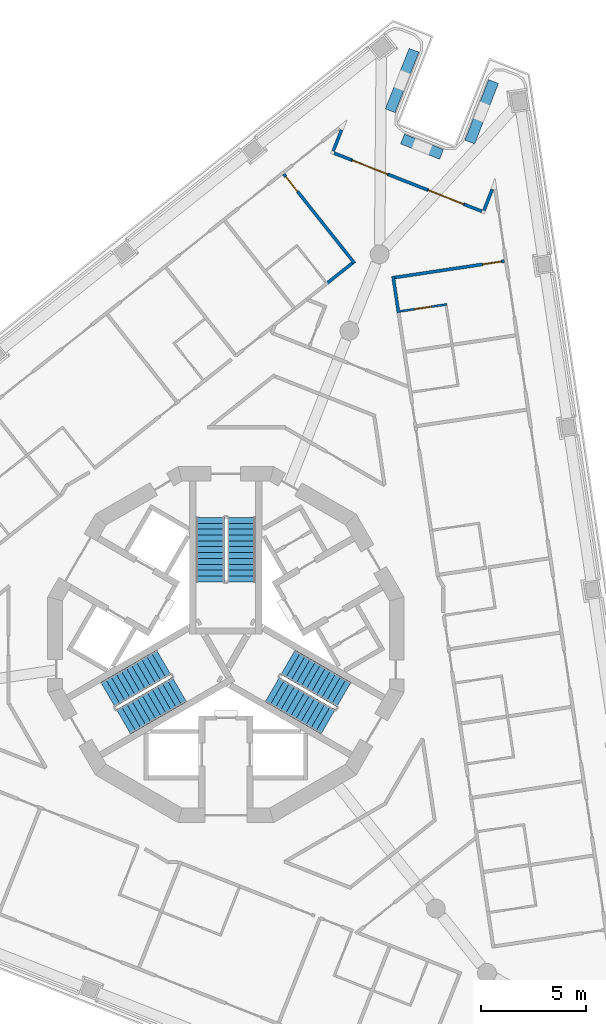
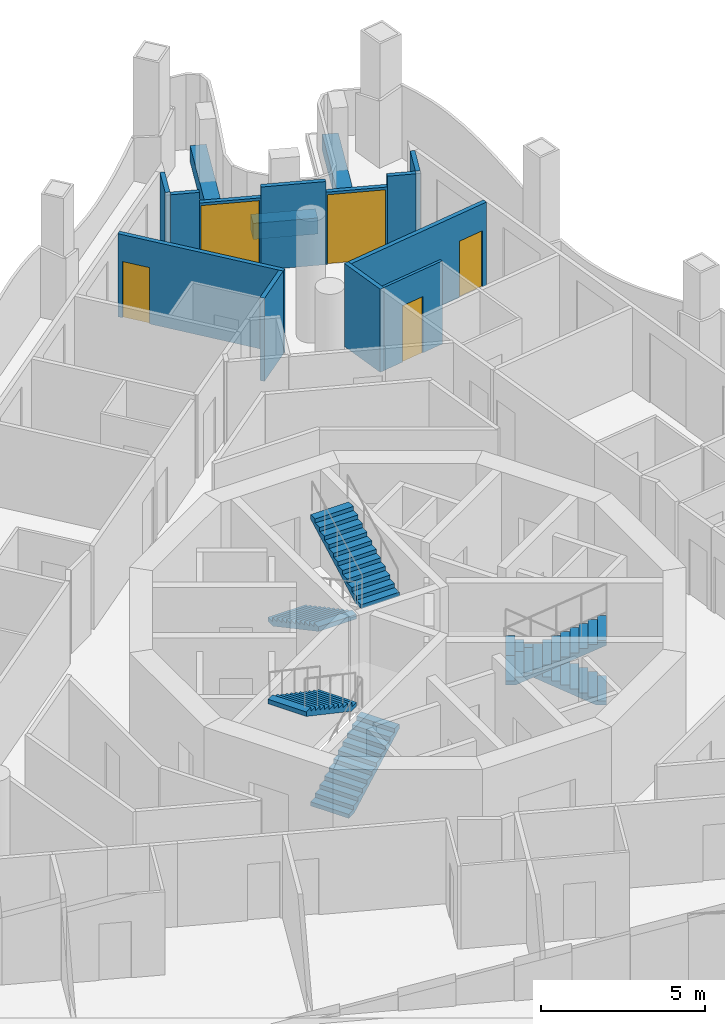
# One storey, part 9 of 16: 15 walls, 6 stair flights, 5 doors, 5 openings, 3 elements without a shape of their own.
"""IFC4 building model written with IfcOpenShell, lengths in metres."""

from ifc_helpers import new_model, si_unit, direction, frame, frame_2d, origin, place, context, subcontext, project, spatial, polyline, rectangle, outline, extrude, material, layer, layer_set, type_object, element, fill, aggregate, save


model = new_model("IFC4")

# Units and contexts
model_context = context("Model", 3, precision=1e-05, world=origin(), true_north=direction((0.0, 1.0)))
body_context = subcontext(model_context, "Body", "Model", "MODEL_VIEW")
ifc_project = project(units=[si_unit("LENGTHUNIT", "METRE"), si_unit("AREAUNIT", "SQUARE_METRE"), si_unit("VOLUMEUNIT", "CUBIC_METRE"), si_unit("PLANEANGLEUNIT", "RADIAN"), si_unit("MASSUNIT", "GRAM", prefix="KILO")], contexts=[model_context])

# Site, building, storey
site_placement = place(None, origin())
site = spatial("IfcSite", under=ifc_project, at=site_placement, CompositionType="ELEMENT")
building_placement = place(site_placement, origin())
building = spatial("IfcBuilding", under=site, at=building_placement, Name="Trine Commons Tower", CompositionType="ELEMENT")
storey_placement = place(building_placement, frame((0.0, 0.0, 226.800048828125)))
storey = spatial("IfcBuildingStorey", under=building, at=storey_placement, Name="L59", CompositionType="ELEMENT", Elevation=226.800048828125)

# Walls
ifc_material_1 = material(Name="Aluminium-framed insulated wall panel", Category="aluminium")
ifc_layer_1 = layer(ifc_material_1, 0.14990234375)
ifc_layer_set_1 = layer_set([ifc_layer_1], Name="Aluminium-framed insulated wall panel")
wall_type_1 = type_object("IfcWallType", Name="Glazed frame wall 150, EI 60", PredefinedType="SOLIDWALL", material=ifc_layer_set_1)
wall_1_placement = place(storey_placement, frame((85.575927734375, 87.201171875, 0.0), z_axis=(0.0, 0.0, 1.0), x_axis=(-0.366472142006, -0.930429024232, 0.0)))
element("IfcWall", 1, at=wall_1_placement, inside=storey, type_object=wall_type_1, Name="Glazed frame wall R2", PredefinedType="SOLIDWALL", context=body_context, shape_type="SweptSolid", body=[
    extrude(outline(polyline([(0.1494140625, 0.074951171875), (0.1494140625, -0.074951171875), (1.235107421875, -0.074951171875), (1.235107421875, 0.074951171875), (0.1494140625, 0.074951171875)])), origin(), (0.0, 0.0, 1.0), 3.099853515625),
])
wall_2_placement = place(storey_placement, frame((85.063232421875, 85.9951171875, 0.0), z_axis=(0.0, 0.0, 1.0), x_axis=(0.930433620143, -0.366460473323, 0.0)))
element("IfcWall", 2, at=wall_2_placement, inside=storey, type_object=wall_type_1, Name="Glazed frame wall P1.1", PredefinedType="SOLIDWALL", context=body_context, shape_type="SweptSolid", body=[
    extrude(outline(polyline([(0.110107421875, -0.074951171875), (1.0, -0.074951171875), (1.0, 0.074951171875), (0.110107421875, 0.074951171875), (0.110107421875, -0.074951171875)])), origin(), (0.0, 0.0, 1.0), 3.099853515625),
])

# Wall, opening, door
wall_3_placement = place(storey_placement, frame((85.99365234375, 85.628662109375, 0.0), z_axis=(0.0, 0.0, 1.0), x_axis=(0.930387146689, -0.366578446279, 0.0)))
wall_3 = element("IfcWall", 3, at=wall_3_placement, inside=storey, type_object=wall_type_1, Name="Glazed frame wall P1.2", PredefinedType="SOLIDWALL", context=body_context, shape_type="SweptSolid", body=[
    extrude(outline(polyline([(0.0, -0.074951171875), (1.89990234375, -0.074951171875), (1.89990234375, 0.074951171875), (0.0, 0.074951171875), (0.0, -0.074951171875)])), origin(), (0.0, 0.0, 1.0), 2.699951171875),
])
opening_1_placement = place(wall_3_placement, frame((0.050048828125, 0.0, 0.0)))
opening_1 = element("IfcOpeningElement", 4, at=opening_1_placement, cuts=wall_3, Name="Opening BD-6P1-01", PredefinedType="OPENING", context=body_context, shape_type="SweptSolid", body=[
    extrude(rectangle(XDim=1.800048828125, YDim=2.60009765625, at=frame_2d((0.89990234375, 1.300048828125))), frame((0.0, 0.0849609375, 0.0), z_axis=(0.0, -1.0, 0.0), x_axis=(1.0, 0.0, 0.0)), (0.0, 0.0, 1.0), 0.169921875),
])
ifc_material_2 = material(Name="Anodised aluminium frame with double glazing", Category="aluminium")
door_type_1 = type_object("IfcDoorType", Name="Sliding loggia door 1800x2600", OperationType="SLIDING_TO_LEFT", PredefinedType="DOOR", material=ifc_material_2)
door_1_placement = place(opening_1_placement, origin())
door_1 = element("IfcDoor", 5, at=door_1_placement, inside=storey, type_object=door_type_1, Name="Loggia door P1 1", OperationType="SLIDING_TO_LEFT", OverallHeight=2.60009765625, OverallWidth=1.800048828125, PredefinedType="DOOR", context=body_context, shape_type="SweptSolid", body=[
    extrude(rectangle(XDim=1.800048828125, YDim=2.60009765625, at=frame_2d((0.89990234375, 1.300048828125))), frame((0.0, 0.02490234375, 0.0), z_axis=(0.0, -1.0, 0.0), x_axis=(1.0, 0.0, 0.0)), (0.0, 0.0, 1.0), 0.050048828125),
])
fill(opening_1, door_1)

# Wall
wall_4_placement = place(storey_placement, frame((87.761474609375, 84.93212890625, 0.0), z_axis=(0.0, 0.0, 1.0), x_axis=(0.930433620143, -0.366460473323, 0.0)))
element("IfcWall", 6, at=wall_4_placement, inside=storey, type_object=wall_type_1, Name="Glazed frame wall P1.3", PredefinedType="SOLIDWALL", context=body_context, shape_type="SweptSolid", body=[
    extrude(outline(polyline([(0.0, -0.074951171875), (2.0, -0.074951171875), (2.0, 0.074951171875), (0.0, 0.074951171875), (0.0, -0.074951171875)])), origin(), (0.0, 0.0, 1.0), 3.099853515625),
])

# Wall, opening, door
wall_5_placement = place(storey_placement, frame((89.622314453125, 84.19921875, 0.0), z_axis=(0.0, 0.0, 1.0), x_axis=(0.930387146689, -0.366578446279, 0.0)))
wall_5 = element("IfcWall", 7, at=wall_5_placement, inside=storey, type_object=wall_type_1, Name="Glazed frame wall P1.4", PredefinedType="SOLIDWALL", context=body_context, shape_type="SweptSolid", body=[
    extrude(outline(polyline([(0.0, -0.074951171875), (1.89990234375, -0.074951171875), (1.89990234375, 0.074951171875), (0.0, 0.074951171875), (0.0, -0.074951171875)])), origin(), (0.0, 0.0, 1.0), 2.699951171875),
])
opening_2_placement = place(wall_5_placement, frame((0.050048828125, 0.0, 0.0)))
opening_2 = element("IfcOpeningElement", 8, at=opening_2_placement, cuts=wall_5, Name="Opening BD-6P1-02", PredefinedType="OPENING", context=body_context, shape_type="SweptSolid", body=[
    extrude(rectangle(XDim=1.800048828125, YDim=2.60009765625, at=frame_2d((0.89990234375, 1.300048828125))), frame((0.0, 0.0849609375, 0.0), z_axis=(0.0, -1.0, 0.0), x_axis=(1.0, 0.0, 0.0)), (0.0, 0.0, 1.0), 0.169921875),
])
door_2_placement = place(opening_2_placement, origin())
door_2 = element("IfcDoor", 9, at=door_2_placement, inside=storey, type_object=door_type_1, Name="Loggia door P1 2", OperationType="SLIDING_TO_LEFT", OverallHeight=2.60009765625, OverallWidth=1.800048828125, PredefinedType="DOOR", context=body_context, shape_type="SweptSolid", body=[
    extrude(rectangle(XDim=1.800048828125, YDim=2.60009765625, at=frame_2d((0.89990234375, 1.300048828125))), frame((0.0, 0.02490234375, 0.0), z_axis=(0.0, -1.0, 0.0), x_axis=(1.0, 0.0, 0.0)), (0.0, 0.0, 1.0), 0.050048828125),
])
fill(opening_2, door_2)

# Walls
wall_6_placement = place(storey_placement, frame((91.39013671875, 83.502685546875, 0.0), z_axis=(0.0, 0.0, 1.0), x_axis=(0.930433620143, -0.366460473323, 0.0)))
element("IfcWall", 10, at=wall_6_placement, inside=storey, type_object=wall_type_1, Name="Glazed frame wall P1.5", PredefinedType="SOLIDWALL", context=body_context, shape_type="SweptSolid", body=[
    extrude(outline(polyline([(0.889892578125, 0.074951171875), (0.0, 0.074951171875), (0.0, -0.074951171875), (0.889892578125, -0.074951171875), (0.889892578125, 0.074951171875)])), origin(), (0.0, 0.0, 1.0), 3.099853515625),
])
wall_7_placement = place(storey_placement, frame((92.275146484375, 83.11669921875, 0.0), z_axis=(0.0, 0.0, 1.0), x_axis=(0.366534042844, 0.9304046407, 0.0)))
element("IfcWall", 11, at=wall_7_placement, inside=storey, type_object=wall_type_1, Name="Glazed frame wall R4", PredefinedType="SOLIDWALL", context=body_context, shape_type="SweptSolid", body=[
    extrude(outline(polyline([(0.110107421875, 0.074951171875), (0.110107421875, -0.074951171875), (1.19580078125, -0.074951171875), (1.19580078125, 0.074951171875), (0.110107421875, 0.074951171875)])), origin(), (0.0, 0.0, 1.0), 3.099853515625),
])
ifc_material_3 = material(Name="Planter trough, precast concrete C40/50", Category="concrete")
ifc_layer_2 = layer(ifc_material_3, 0.5)
ifc_layer_set_2 = layer_set([ifc_layer_2], Name="Planter trough, precast concrete C40/50")
wall_type_2 = type_object("IfcWallType", Name="Planter trough 500x600", PredefinedType="PARAPET", material=ifc_layer_set_2)
wall_8_placement = place(storey_placement, frame((88.97998046875, 90.86328125, 0.0), z_axis=(0.0, 0.0, 1.0), x_axis=(-0.366456340628, -0.930435247835, 0.0)))
element("IfcWall", 12, at=wall_8_placement, inside=storey, type_object=wall_type_2, Name="Planter 4", PredefinedType="PARAPET", context=body_context, shape_type="SweptSolid", body=[
    extrude(rectangle(XDim=3.099853515625, YDim=0.5, at=frame_2d((1.5498046875, 0.0))), origin(), (0.0, 0.0, 1.0), 0.599853515625),
])
wall_9_placement = place(storey_placement, frame((88.430419921875, 86.630126953125, 0.0), z_axis=(0.0, 0.0, 1.0), x_axis=(0.930417223886, -0.366502100263, 0.0)))
element("IfcWall", 13, at=wall_9_placement, inside=storey, type_object=wall_type_2, Name="Planter 5", PredefinedType="PARAPET", context=body_context, shape_type="SweptSolid", body=[
    extrude(rectangle(XDim=1.999755859375, YDim=0.5, at=frame_2d((1.0, 0.0))), origin(), (0.0, 0.0, 1.0), 0.599853515625),
])
wall_10_placement = place(storey_placement, frame((91.639892578125, 86.483642578125, 0.0), z_axis=(0.0, 0.0, 1.0), x_axis=(0.366524518382, 0.930408392817, 0.0)))
element("IfcWall", 14, at=wall_10_placement, inside=storey, type_object=wall_type_2, Name="Planter 6", PredefinedType="PARAPET", context=body_context, shape_type="SweptSolid", body=[
    extrude(rectangle(XDim=3.10009765625, YDim=0.5, at=frame_2d((1.550048828125, 0.0))), origin(), (0.0, 0.0, 1.0), 0.599853515625),
])

# Wall, opening, door
ifc_material_4 = material(Name="Gypsum plasterboard on steel stud", Category="steel")
ifc_layer_3 = layer(ifc_material_4, 0.14990234375)
ifc_layer_set_3 = layer_set([ifc_layer_3], Name="Gypsum plasterboard on steel stud")
wall_type_3 = type_object("IfcWallType", Name="Unit and corridor wall 150 mm, EI 60", PredefinedType="PARTITIONING", material=ifc_layer_set_3)
wall_11_placement = place(storey_placement, frame((82.761962890625, 84.94970703125, 0.0), z_axis=(0.0, 0.0, 1.0), x_axis=(0.622457280045, -0.782653776915, 0.0)))
wall_11 = element("IfcWall", 15, at=wall_11_placement, inside=storey, type_object=wall_type_3, Name="Partition 061", PredefinedType="PARTITIONING", context=body_context, shape_type="SweptSolid", body=[
    extrude(rectangle(XDim=5.4345703125, YDim=0.14990234375, at=frame_2d((2.71728515625, 0.0))), origin(), (0.0, 0.0, 1.0), 3.099853515625),
])
opening_3_placement = place(wall_11_placement, frame((0.14990234375, 0.0, 0.0)))
opening_3 = element("IfcOpeningElement", 16, at=opening_3_placement, cuts=wall_11, Name="Opening D-6C11", PredefinedType="OPENING", context=body_context, shape_type="SweptSolid", body=[
    extrude(rectangle(XDim=0.89990234375, YDim=2.10009765625, at=frame_2d((0.449951171875, 1.050048828125))), frame((0.0, 0.0849609375, 0.0), z_axis=(0.0, -1.0, 0.0), x_axis=(1.0, 0.0, 0.0)), (0.0, 0.0, 1.0), 0.169921875),
])
ifc_material_5 = material(Name="Timber fire door set", Category="wood")
door_type_2 = type_object("IfcDoorType", Name="Bedroom door 900 x 2100, FD30S", OperationType="NOTDEFINED", PredefinedType="DOOR", material=ifc_material_5)
door_3_placement = place(opening_3_placement, frame((0.89990234375, 0.0, 0.0), z_axis=(0.0, 0.0, 1.0), x_axis=(-1.0, 0.0, 0.0)))
door_3 = element("IfcDoor", 17, at=door_3_placement, inside=storey, type_object=door_type_2, Name="Door D-6C11", OperationType="SINGLE_SWING_RIGHT", OverallHeight=2.10009765625, OverallWidth=0.89990234375, PredefinedType="DOOR", context=body_context, shape_type="SweptSolid", body=[
    extrude(rectangle(XDim=0.89990234375, YDim=2.10009765625, at=frame_2d((0.449951171875, 1.050048828125))), frame((0.0, 0.02490234375, 0.0), z_axis=(0.0, -1.0, 0.0), x_axis=(1.0, 0.0, 0.0)), (0.0, 0.0, 1.0), 0.050048828125),
])
fill(opening_3, door_3)

# Walls
wall_12_placement = place(storey_placement, frame((84.81494140625, 79.735107421875, 0.0), z_axis=(0.0, 0.0, 1.0), x_axis=(0.782844700833, 0.622217144072, 0.0)))
element("IfcWall", 18, at=wall_12_placement, inside=storey, type_object=wall_type_3, Name="Partition 072", PredefinedType="PARTITIONING", context=body_context, shape_type="SweptSolid", body=[
    extrude(rectangle(XDim=1.56396484375, YDim=0.14990234375, at=frame_2d((0.781982421875, 0.0))), origin(), (0.0, 0.0, 1.0), 3.099853515625),
])
wall_13_placement = place(storey_placement, frame((87.97900390625, 80.084228515625, 0.0), z_axis=(0.0, 0.0, 1.0), x_axis=(0.147576156068, -0.989050695445, 0.0)))
element("IfcWall", 19, at=wall_13_placement, inside=storey, type_object=wall_type_3, Name="Partition 083", PredefinedType="PARTITIONING", context=body_context, shape_type="SweptSolid", body=[
    extrude(rectangle(XDim=1.76513671875, YDim=0.14990234375, at=frame_2d((0.882568359375, 0.0))), origin(), (0.0, 0.0, 1.0), 3.099853515625),
])

# Wall, opening, door
wall_14_placement = place(storey_placement, frame((88.064208984375, 80.02099609375, 0.0), z_axis=(0.0, 0.0, 1.0), x_axis=(0.988994889639, 0.147949681543, 0.0)))
wall_14 = element("IfcWall", 20, at=wall_14_placement, inside=storey, type_object=wall_type_3, Name="Partition 084", PredefinedType="PARTITIONING", context=body_context, shape_type="SweptSolid", body=[
    extrude(rectangle(XDim=5.285400390625, YDim=0.14990234375, at=frame_2d((2.642578125, 0.0))), origin(), (0.0, 0.0, 1.0), 3.099853515625),
])
opening_4_placement = place(wall_14_placement, frame((4.2353515625, 0.0, 0.0)))
opening_4 = element("IfcOpeningElement", 21, at=opening_4_placement, cuts=wall_14, Name="Opening D-6C12", PredefinedType="OPENING", context=body_context, shape_type="SweptSolid", body=[
    extrude(rectangle(XDim=0.89990234375, YDim=2.10009765625, at=frame_2d((0.449951171875, 1.050048828125))), frame((0.0, 0.0849609375, 0.0), z_axis=(0.0, -1.0, 0.0), x_axis=(1.0, 0.0, 0.0)), (0.0, 0.0, 1.0), 0.169921875),
])
door_4_placement = place(opening_4_placement, frame((0.89990234375, 0.0, 0.0), z_axis=(0.0, 0.0, 1.0), x_axis=(-1.0, 0.0, 0.0)))
door_4 = element("IfcDoor", 22, at=door_4_placement, inside=storey, type_object=door_type_2, Name="Door D-6C12", OperationType="SINGLE_SWING_LEFT", OverallHeight=2.10009765625, OverallWidth=0.89990234375, PredefinedType="DOOR", context=body_context, shape_type="SweptSolid", body=[
    extrude(rectangle(XDim=0.89990234375, YDim=2.10009765625, at=frame_2d((0.449951171875, 1.050048828125))), frame((0.0, 0.02490234375, 0.0), z_axis=(0.0, -1.0, 0.0), x_axis=(1.0, 0.0, 0.0)), (0.0, 0.0, 1.0), 0.050048828125),
])
fill(opening_4, door_4)

ifc_layer_4 = layer(ifc_material_4, 0.10009765625)
ifc_layer_set_4 = layer_set([ifc_layer_4], Name="Gypsum plasterboard on steel stud")
wall_type_4 = type_object("IfcWallType", Name="Unit partition 100 mm, no rating", PredefinedType="PARTITIONING", material=ifc_layer_set_4)
wall_15_placement = place(storey_placement, frame((88.30615234375, 78.403076171875, 0.0), z_axis=(0.0, 0.0, 1.0), x_axis=(0.989007860101, 0.147862952286, 0.0)))
wall_15 = element("IfcWall", 23, at=wall_15_placement, inside=storey, type_object=wall_type_4, Name="Partition 086", PredefinedType="PARTITIONING", context=body_context, shape_type="SweptSolid", body=[
    extrude(rectangle(XDim=2.275146484375, YDim=0.10009765625, at=frame_2d((1.1376953125, 0.0))), origin(), (0.0, 0.0, 1.0), 3.099853515625),
])
opening_5_placement = place(wall_15_placement, frame((0.712646484375, 0.0, 0.0)))
opening_5 = element("IfcOpeningElement", 24, at=opening_5_placement, cuts=wall_15, Name="Opening D-6C35", PredefinedType="OPENING", context=body_context, shape_type="SweptSolid", body=[
    extrude(rectangle(XDim=0.800048828125, YDim=2.10009765625, at=frame_2d((0.39990234375, 1.050048828125))), frame((0.0, 0.06005859375, 0.0), z_axis=(0.0, -1.0, 0.0), x_axis=(1.0, 0.0, 0.0)), (0.0, 0.0, 1.0), 0.1201171875),
])
ifc_material_6 = material(Name="Painted timber", Category="wood")
door_type_3 = type_object("IfcDoorType", Name="Internal door 800 x 2100, NOT RATED", OperationType="NOTDEFINED", PredefinedType="DOOR", material=ifc_material_6)
door_5_placement = place(opening_5_placement, origin())
door_5 = element("IfcDoor", 25, at=door_5_placement, inside=storey, type_object=door_type_3, Name="Door D-6C35", OperationType="SINGLE_SWING_LEFT", OverallHeight=2.10009765625, OverallWidth=0.800048828125, PredefinedType="DOOR", context=body_context, shape_type="SweptSolid", body=[
    extrude(rectangle(XDim=0.800048828125, YDim=2.10009765625, at=frame_2d((0.39990234375, 1.050048828125))), frame((0.0, 0.02490234375, 0.0), z_axis=(0.0, -1.0, 0.0), x_axis=(1.0, 0.0, 0.0)), (0.0, 0.0, 1.0), 0.050048828125),
])
fill(opening_5, door_5)

# Stair, stair flights
ifc_material_7 = material(Name="Concrete C50/60", Category="concrete")
stair_type = type_object("IfcStairType", Name="Exit stair, dog-leg, 24 risers of 150 mm", PredefinedType="HALF_TURN_STAIR", material=ifc_material_7)
stair_1_placement = place(storey_placement, origin())
stair_1 = element("IfcStair", 26, at=stair_1_placement, inside=storey, type_object=stair_type, Name="L59 Exit stair ST1C", PredefinedType="HALF_TURN_STAIR")
stair_flight_type = type_object("IfcStairFlightType", Name="Stair flight, 1350 wide, 12 risers of 150 mm", PredefinedType="STRAIGHT", material=ifc_material_7)
stair_flight_1_placement = place(storey_placement, frame((79.25, 68.570556640625, 0.0), z_axis=(0.0, 0.0, 1.0), x_axis=(0.0, -1.0, 0.0)))
stair_flight_1 = element("IfcStairFlight", 27, at=stair_flight_1_placement, type_object=stair_flight_type, Name="ST1C flight 1", NumberOfRisers=12, NumberOfTreads=11, PredefinedType="STRAIGHT", RiserHeight=0.15, TreadLength=0.28, context=body_context, shape_type="SweptSolid", body=[
    extrude(outline(polyline([(0.0, 0.0), (0.0, 0.14990234375), (0.280029296875, 0.14990234375), (0.280029296875, 0.300048828125), (0.56005859375, 0.300048828125), (0.56005859375, 0.449951171875), (0.840087890625, 0.449951171875), (0.840087890625, 0.60009765625), (1.1201171875, 0.60009765625), (1.1201171875, 0.75), (1.39990234375, 0.75), (1.39990234375, 0.89990234375), (1.679931640625, 0.89990234375), (1.679931640625, 1.050048828125), (1.9599609375, 1.050048828125), (1.9599609375, 1.199951171875), (2.239990234375, 1.199951171875), (2.239990234375, 1.35009765625), (2.52001953125, 1.35009765625), (2.52001953125, 1.5), (2.800048828125, 1.5), (2.800048828125, 1.64990234375), (3.080078125, 1.64990234375), (3.080078125, 1.800048828125), (3.080078125, 1.47998046875), (0.3173828125, 0.0), (0.0, 0.0)])), frame((0.0, 0.675048828125, 0.0), z_axis=(0.0, -1.0, 0.0), x_axis=(1.0, 0.0, 0.0)), (0.0, 0.0, 1.0), 1.35009765625),
])
stair_flight_2_placement = place(storey_placement, frame((80.75, 65.490478515625, 1.800048828125), z_axis=(0.0, 0.0, 1.0), x_axis=(0.0, 1.0, 0.0)))
stair_flight_2 = element("IfcStairFlight", 28, at=stair_flight_2_placement, type_object=stair_flight_type, Name="ST1C flight 2", NumberOfRisers=12, NumberOfTreads=11, PredefinedType="STRAIGHT", RiserHeight=0.15, TreadLength=0.28, context=body_context, shape_type="SweptSolid", body=[
    extrude(outline(polyline([(0.0, 0.0), (0.0, 0.14990234375), (0.280029296875, 0.14990234375), (0.280029296875, 0.300048828125), (0.56005859375, 0.300048828125), (0.56005859375, 0.449951171875), (0.840087890625, 0.449951171875), (0.840087890625, 0.60009765625), (1.1201171875, 0.60009765625), (1.1201171875, 0.75), (1.39990234375, 0.75), (1.39990234375, 0.89990234375), (1.679931640625, 0.89990234375), (1.679931640625, 1.050048828125), (1.9599609375, 1.050048828125), (1.9599609375, 1.199951171875), (2.239990234375, 1.199951171875), (2.239990234375, 1.35009765625), (2.52001953125, 1.35009765625), (2.52001953125, 1.5), (2.800048828125, 1.5), (2.800048828125, 1.64990234375), (3.080078125, 1.64990234375), (3.080078125, 1.800048828125), (3.080078125, 1.47998046875), (0.3173828125, 0.0), (0.0, 0.0)])), frame((0.0, 0.675048828125, 0.0), z_axis=(0.0, -1.0, 0.0), x_axis=(1.0, 0.0, 0.0)), (0.0, 0.0, 1.0), 1.35009765625),
])
aggregate(stair_1, [stair_flight_1, stair_flight_2])

stair_2_placement = place(storey_placement, origin())
stair_2 = element("IfcStair", 29, at=stair_2_placement, inside=storey, type_object=stair_type, Name="L59 Exit stair ST2C", PredefinedType="HALF_TURN_STAIR")
stair_flight_3_placement = place(storey_placement, frame((75.11767578125, 58.815185546875, 0.0), z_axis=(0.0, 0.0, 1.0), x_axis=(0.866025403784, 0.5, 0.0)))
stair_flight_3 = element("IfcStairFlight", 30, at=stair_flight_3_placement, type_object=stair_flight_type, Name="ST2C flight 1", NumberOfRisers=12, NumberOfTreads=11, PredefinedType="STRAIGHT", RiserHeight=0.15, TreadLength=0.28, context=body_context, shape_type="SweptSolid", body=[
    extrude(outline(polyline([(0.0, 0.0), (0.0, 0.14990234375), (0.280029296875, 0.14990234375), (0.280029296875, 0.300048828125), (0.56005859375, 0.300048828125), (0.56005859375, 0.449951171875), (0.840087890625, 0.449951171875), (0.840087890625, 0.60009765625), (1.1201171875, 0.60009765625), (1.1201171875, 0.75), (1.39990234375, 0.75), (1.39990234375, 0.89990234375), (1.679931640625, 0.89990234375), (1.679931640625, 1.050048828125), (1.9599609375, 1.050048828125), (1.9599609375, 1.199951171875), (2.239990234375, 1.199951171875), (2.239990234375, 1.35009765625), (2.52001953125, 1.35009765625), (2.52001953125, 1.5), (2.800048828125, 1.5), (2.800048828125, 1.64990234375), (3.080078125, 1.64990234375), (3.080078125, 1.800048828125), (3.080078125, 1.47998046875), (0.3173828125, 0.0), (0.0, 0.0)])), frame((0.0, 0.675048828125, 0.0), z_axis=(0.0, -1.0, 0.0), x_axis=(1.0, 0.0, 0.0)), (0.0, 0.0, 1.0), 1.35009765625),
])
stair_flight_4_placement = place(storey_placement, frame((77.03515625, 61.654296875, 1.800048828125), z_axis=(0.0, 0.0, 1.0), x_axis=(-0.866025403784, -0.5, 0.0)))
stair_flight_4 = element("IfcStairFlight", 31, at=stair_flight_4_placement, type_object=stair_flight_type, Name="ST2C flight 2", NumberOfRisers=12, NumberOfTreads=11, PredefinedType="STRAIGHT", RiserHeight=0.15, TreadLength=0.28, context=body_context, shape_type="SweptSolid", body=[
    extrude(outline(polyline([(0.0, 0.0), (0.0, 0.14990234375), (0.280029296875, 0.14990234375), (0.280029296875, 0.300048828125), (0.56005859375, 0.300048828125), (0.56005859375, 0.449951171875), (0.840087890625, 0.449951171875), (0.840087890625, 0.60009765625), (1.1201171875, 0.60009765625), (1.1201171875, 0.75), (1.39990234375, 0.75), (1.39990234375, 0.89990234375), (1.679931640625, 0.89990234375), (1.679931640625, 1.050048828125), (1.9599609375, 1.050048828125), (1.9599609375, 1.199951171875), (2.239990234375, 1.199951171875), (2.239990234375, 1.35009765625), (2.52001953125, 1.35009765625), (2.52001953125, 1.5), (2.800048828125, 1.5), (2.800048828125, 1.64990234375), (3.080078125, 1.64990234375), (3.080078125, 1.800048828125), (3.080078125, 1.47998046875), (0.3173828125, 0.0), (0.0, 0.0)])), frame((0.0, 0.675048828125, 0.0), z_axis=(0.0, -1.0, 0.0), x_axis=(1.0, 0.0, 0.0)), (0.0, 0.0, 1.0), 1.35009765625),
])
aggregate(stair_2, [stair_flight_3, stair_flight_4])

stair_3_placement = place(storey_placement, origin())
stair_3 = element("IfcStair", 32, at=stair_3_placement, inside=storey, type_object=stair_type, Name="L59 Exit stair ST3C", PredefinedType="HALF_TURN_STAIR")
stair_flight_5_placement = place(storey_placement, frame((85.63232421875, 60.1142578125, 0.0), z_axis=(0.0, 0.0, 1.0), x_axis=(-0.866025403784, 0.5, 0.0)))
stair_flight_5 = element("IfcStairFlight", 33, at=stair_flight_5_placement, type_object=stair_flight_type, Name="ST3C flight 1", NumberOfRisers=12, NumberOfTreads=11, PredefinedType="STRAIGHT", RiserHeight=0.15, TreadLength=0.28, context=body_context, shape_type="SweptSolid", body=[
    extrude(outline(polyline([(0.0, 0.0), (0.0, 0.14990234375), (0.280029296875, 0.14990234375), (0.280029296875, 0.300048828125), (0.56005859375, 0.300048828125), (0.56005859375, 0.449951171875), (0.840087890625, 0.449951171875), (0.840087890625, 0.60009765625), (1.1201171875, 0.60009765625), (1.1201171875, 0.75), (1.39990234375, 0.75), (1.39990234375, 0.89990234375), (1.679931640625, 0.89990234375), (1.679931640625, 1.050048828125), (1.9599609375, 1.050048828125), (1.9599609375, 1.199951171875), (2.239990234375, 1.199951171875), (2.239990234375, 1.35009765625), (2.52001953125, 1.35009765625), (2.52001953125, 1.5), (2.800048828125, 1.5), (2.800048828125, 1.64990234375), (3.080078125, 1.64990234375), (3.080078125, 1.800048828125), (3.080078125, 1.47998046875), (0.3173828125, 0.0), (0.0, 0.0)])), frame((0.0, 0.675048828125, 0.0), z_axis=(0.0, -1.0, 0.0), x_axis=(1.0, 0.0, 0.0)), (0.0, 0.0, 1.0), 1.35009765625),
])
stair_flight_6_placement = place(storey_placement, frame((82.21484375, 60.355224609375, 1.800048828125), z_axis=(0.0, 0.0, 1.0), x_axis=(0.866025403784, -0.5, 0.0)))
stair_flight_6 = element("IfcStairFlight", 34, at=stair_flight_6_placement, type_object=stair_flight_type, Name="ST3C flight 2", NumberOfRisers=12, NumberOfTreads=11, PredefinedType="STRAIGHT", RiserHeight=0.15, TreadLength=0.28, context=body_context, shape_type="SweptSolid", body=[
    extrude(outline(polyline([(0.0, 0.0), (0.0, 0.14990234375), (0.280029296875, 0.14990234375), (0.280029296875, 0.300048828125), (0.56005859375, 0.300048828125), (0.56005859375, 0.449951171875), (0.840087890625, 0.449951171875), (0.840087890625, 0.60009765625), (1.1201171875, 0.60009765625), (1.1201171875, 0.75), (1.39990234375, 0.75), (1.39990234375, 0.89990234375), (1.679931640625, 0.89990234375), (1.679931640625, 1.050048828125), (1.9599609375, 1.050048828125), (1.9599609375, 1.199951171875), (2.239990234375, 1.199951171875), (2.239990234375, 1.35009765625), (2.52001953125, 1.35009765625), (2.52001953125, 1.5), (2.800048828125, 1.5), (2.800048828125, 1.64990234375), (3.080078125, 1.64990234375), (3.080078125, 1.800048828125), (3.080078125, 1.47998046875), (0.3173828125, 0.0), (0.0, 0.0)])), frame((0.0, 0.675048828125, 0.0), z_axis=(0.0, -1.0, 0.0), x_axis=(1.0, 0.0, 0.0)), (0.0, 0.0, 1.0), 1.35009765625),
])
aggregate(stair_3, [stair_flight_5, stair_flight_6])

save(model, "model.ifc")
